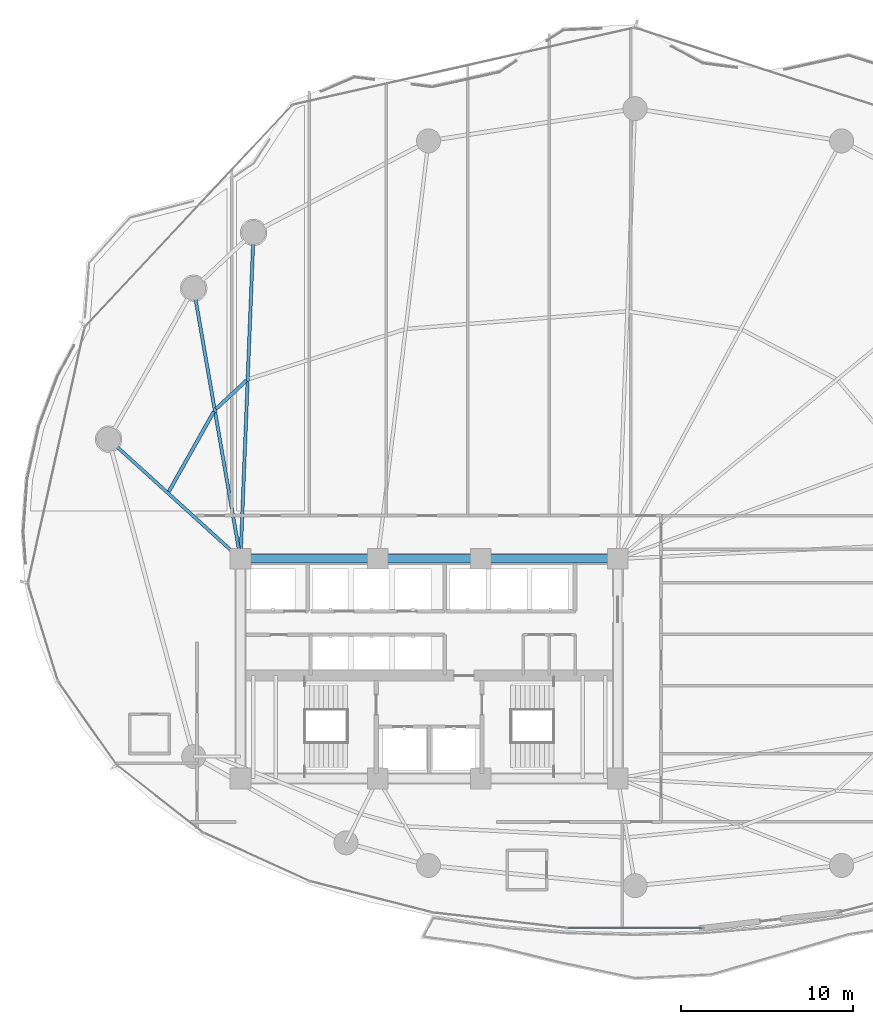
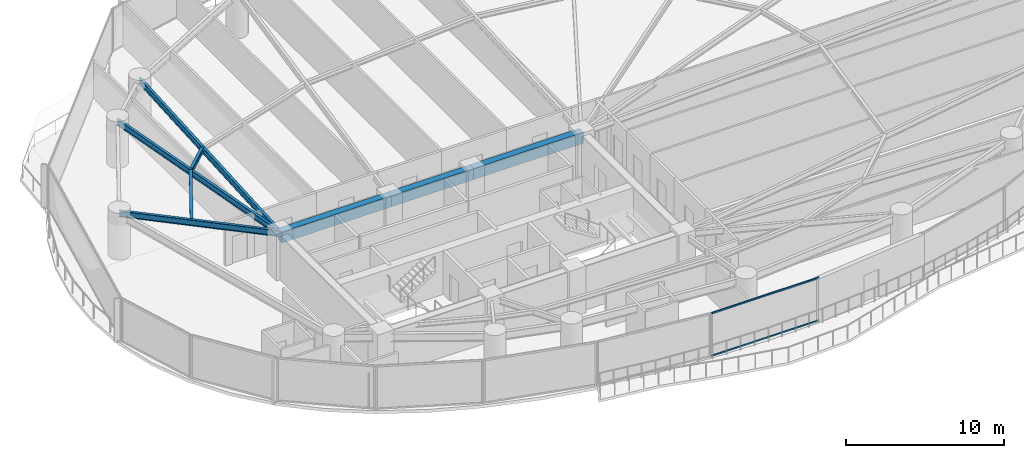
# One storey, part 9 of 33: 8 beams, 2 members, 1 element without a shape of its own.
"""IFC4 building model written with IfcOpenShell, lengths in metres."""

from ifc_helpers import new_model, si_unit, direction, frame, origin, origin_2d, place, context, subcontext, project, spatial, rectangle, hollow_rectangle, i_section, extrude, material, layer, layer_set, material_profile, profile_set, type_object, element, aggregate, save


model = new_model("IFC4")

# Units and contexts
model_context = context("Model", 3, precision=1e-05, world=origin(), true_north=direction((0.0, 1.0)))
body_context = subcontext(model_context, "Body", "Model", "MODEL_VIEW")
ifc_project = project(units=[si_unit("LENGTHUNIT", "METRE"), si_unit("AREAUNIT", "SQUARE_METRE"), si_unit("VOLUMEUNIT", "CUBIC_METRE"), si_unit("PLANEANGLEUNIT", "RADIAN"), si_unit("MASSUNIT", "GRAM", prefix="KILO")], contexts=[model_context])

# Site, building, storey
site_placement = place(None, origin())
site = spatial("IfcSite", under=ifc_project, at=site_placement, CompositionType="ELEMENT")
building_placement = place(site_placement, origin())
building = spatial("IfcBuilding", under=site, at=building_placement, Name="Kazevale Care Tower and Concert Hall", CompositionType="ELEMENT")
storey_placement = place(building_placement, frame((0.0, 0.0, 52.800048828125)))
storey = spatial("IfcBuildingStorey", under=building, at=storey_placement, Name="L13", CompositionType="ELEMENT", Elevation=52.800048828125)

# Curtain wall, members
ifc_material_1 = material(Name="Aluminium 6063-T6 and Low-E Glass", Category="aluminium")
ifc_layer = layer(ifc_material_1, 0.179931640625)
ifc_layer_set = layer_set([ifc_layer], Name="Aluminium 6063-T6 and Low-E Glass")
curtain_wall_type = type_object("IfcCurtainWallType", Name="Sheltered Concave Balcony Curtain Wall CW-5", PredefinedType="NOTDEFINED", material=ifc_layer_set)
curtain_wall_placement = place(storey_placement, origin())
curtain_wall = element("IfcCurtainWall", 1, at=curtain_wall_placement, inside=storey, type_object=curtain_wall_type, Name="cw:L13:f06", PredefinedType="NOTDEFINED")
ifc_material_2 = material(Name="Aluminium 6063-T6", Category="aluminium")
ifc_material_profile_1 = material_profile(ifc_material_2, hollow_rectangle(XDim=0.074951171875, YDim=0.1201171875, WallThickness=0.00390625, at=origin_2d()), Name="ALU75x120x4")
ifc_profile_set_1 = profile_set([ifc_material_profile_1], Name="Aluminium 6063-T6")
member_type = type_object("IfcMemberType", Name="CW-5 Transom ALU75x120x4", PredefinedType="USERDEFINED", material=ifc_profile_set_1)
member_1_placement = place(storey_placement, frame((48.923095703125, 14.889892578125, 0.037353515625), z_axis=(-1.0, 0.0, 0.0), x_axis=(0.0, -1.0, 0.0)))
member_1 = element("IfcMember", 2, at=member_1_placement, type_object=member_type, Name="CW-5 transom 1.1", ObjectType="TRANSOM", PredefinedType="USERDEFINED", context=body_context, shape_type="SweptSolid", body=[
    extrude(hollow_rectangle(XDim=0.074951171875, YDim=0.1201171875, WallThickness=0.00390625, at=origin_2d()), origin(), (0.0, 0.0, 1.0), 7.84619140625),
])
member_2_placement = place(storey_placement, frame((48.923095703125, 14.889892578125, 3.322509765625), z_axis=(-1.0, 0.0, 0.0), x_axis=(0.0, -1.0, 0.0)))
member_2 = element("IfcMember", 3, at=member_2_placement, type_object=member_type, Name="CW-5 transom 1.2", ObjectType="TRANSOM", PredefinedType="USERDEFINED", context=body_context, shape_type="SweptSolid", body=[
    extrude(hollow_rectangle(XDim=0.074951171875, YDim=0.1201171875, WallThickness=0.00390625, at=origin_2d()), origin(), (0.0, 0.0, 1.0), 7.84619140625),
])
aggregate(curtain_wall, [member_1, member_2])

# Beams
ifc_material_3 = material(Name="Concrete C60", Category="concrete")
ifc_material_profile_2 = material_profile(ifc_material_3, rectangle(XDim=0.5, YDim=0.85009765625, at=origin_2d()), Name="RC-B500x850")
ifc_profile_set_2 = profile_set([ifc_material_profile_2], Name="Concrete C60")
beam_type_1 = type_object("IfcBeamType", Name="Core Coupling Beam RC500x850", PredefinedType="LINTEL", material=ifc_profile_set_2)
beam_1_placement = place(storey_placement, frame((44.0, 36.39990234375, 2.93505859375), z_axis=(-1.0, 0.0, 0.0), x_axis=(0.0, -1.0, 0.0)))
element("IfcBeam", 4, at=beam_1_placement, inside=storey, type_object=beam_type_1, Name="beam:L13:coretie:5", PredefinedType="LINTEL", context=body_context, shape_type="SweptSolid", body=[
    extrude(rectangle(XDim=0.5, YDim=0.85009765625, at=origin_2d()), origin(), (0.0, 0.0, 1.0), 8.0),
])
beam_2_placement = place(storey_placement, frame((36.0, 36.39990234375, 2.93505859375), z_axis=(-1.0, 0.0, 0.0), x_axis=(0.0, -1.0, 0.0)))
element("IfcBeam", 5, at=beam_2_placement, inside=storey, type_object=beam_type_1, Name="beam:L13:coretie:6", PredefinedType="LINTEL", context=body_context, shape_type="SweptSolid", body=[
    extrude(rectangle(XDim=0.5, YDim=0.85009765625, at=origin_2d()), origin(), (0.0, 0.0, 1.0), 6.0),
])
beam_3_placement = place(storey_placement, frame((30.0, 36.39990234375, 2.93505859375), z_axis=(-1.0, 0.0, 0.0), x_axis=(0.0, -1.0, 0.0)))
element("IfcBeam", 6, at=beam_3_placement, inside=storey, type_object=beam_type_1, Name="beam:L13:coretie:7", PredefinedType="LINTEL", context=body_context, shape_type="SweptSolid", body=[
    extrude(rectangle(XDim=0.5, YDim=0.85009765625, at=origin_2d()), origin(), (0.0, 0.0, 1.0), 8.0),
])
ifc_material_4 = material(Name="Steel ASTM A572 Gr 50", Category="steel")
ifc_material_profile_3 = material_profile(ifc_material_4, i_section(OverallWidth=0.19091796875, OverallDepth=0.4599609375, WebThickness=0.010009765625, FlangeThickness=0.01611328125, at=origin_2d()), Name="W460x82")
ifc_profile_set_3 = profile_set([ifc_material_profile_3], Name="Steel ASTM A572 Gr 50")
beam_type_2 = type_object("IfcBeamType", Name="Radial Floor Beam W460x82", PredefinedType="BEAM", material=ifc_profile_set_3)
beam_4_placement = place(storey_placement, frame((22.0, 36.39990234375, 3.1298828125), z_axis=(0.039905581428, 0.999203455044, 0.0), x_axis=(-0.999203455044, 0.039905581428, 0.0)))
element("IfcBeam", 7, at=beam_4_placement, inside=storey, type_object=beam_type_2, Name="beam:L13:rad:07", PredefinedType="BEAM", context=body_context, shape_type="SweptSolid", body=[
    extrude(i_section(OverallWidth=0.19091796875, OverallDepth=0.4599609375, WebThickness=0.010009765625, FlangeThickness=0.01611328125, at=origin_2d()), origin(), (0.0, 0.0, 1.0), 19.045166015625),
])
beam_5_placement = place(storey_placement, frame((22.0, 36.39990234375, 3.1298828125), z_axis=(-0.170469986865, 0.985362868987, 0.0), x_axis=(-0.985362868987, -0.170469986865, 0.0)))
element("IfcBeam", 8, at=beam_5_placement, inside=storey, type_object=beam_type_2, Name="beam:L13:rad:08", PredefinedType="BEAM", context=body_context, shape_type="SweptSolid", body=[
    extrude(i_section(OverallWidth=0.19091796875, OverallDepth=0.4599609375, WebThickness=0.010009765625, FlangeThickness=0.01611328125, at=origin_2d()), origin(), (0.0, 0.0, 1.0), 16.014404296875),
])
beam_6_placement = place(storey_placement, frame((22.0, 36.39990234375, 3.1298828125), z_axis=(-0.740461073653, 0.672099247436, 0.0), x_axis=(-0.672099247436, -0.740461073653, 0.0)))
element("IfcBeam", 9, at=beam_6_placement, inside=storey, type_object=beam_type_2, Name="beam:L13:rad:09", PredefinedType="BEAM", context=body_context, shape_type="SweptSolid", body=[
    extrude(i_section(OverallWidth=0.19091796875, OverallDepth=0.4599609375, WebThickness=0.010009765625, FlangeThickness=0.01611328125, at=origin_2d()), origin(), (0.0, 0.0, 1.0), 10.38525390625),
])
ifc_material_profile_4 = material_profile(ifc_material_4, i_section(OverallWidth=0.205078125, OverallDepth=0.35400390625, WebThickness=0.009521484375, FlangeThickness=0.016845703125, at=origin_2d()), Name="W360x79")
ifc_profile_set_4 = profile_set([ifc_material_profile_4], Name="Steel ASTM A572 Gr 50")
beam_type_3 = type_object("IfcBeamType", Name="Secondary Floor Joist W360x79", PredefinedType="JOIST", material=ifc_profile_set_4)
beam_7_placement = place(storey_placement, frame((22.341064453125, 46.794921875, 3.182861328125), z_axis=(-0.73194965424, -0.68135871878, 0.0), x_axis=(0.68135871878, -0.73194965424, 0.0)))
element("IfcBeam", 10, at=beam_7_placement, inside=storey, type_object=beam_type_3, Name="beam:L13:joist:07", PredefinedType="JOIST", context=body_context, shape_type="SweptSolid", body=[
    extrude(i_section(OverallWidth=0.205078125, OverallDepth=0.35400390625, WebThickness=0.009521484375, FlangeThickness=0.016845703125, at=origin_2d()), origin(), (0.0, 0.0, 1.0), 2.412841796875),
])
beam_8_placement = place(storey_placement, frame((20.447021484375, 44.988037109375, 3.182861328125), z_axis=(-0.490956987312, -0.871183813331, 0.0), x_axis=(0.871183813331, -0.490956987312, 0.0)))
element("IfcBeam", 11, at=beam_8_placement, inside=storey, type_object=beam_type_3, Name="beam:L13:joist:08", PredefinedType="JOIST", context=body_context, shape_type="SweptSolid", body=[
    extrude(i_section(OverallWidth=0.205078125, OverallDepth=0.35400390625, WebThickness=0.009521484375, FlangeThickness=0.016845703125, at=origin_2d()), origin(), (0.0, 0.0, 1.0), 5.3466796875),
])

save(model, "model.ifc")
